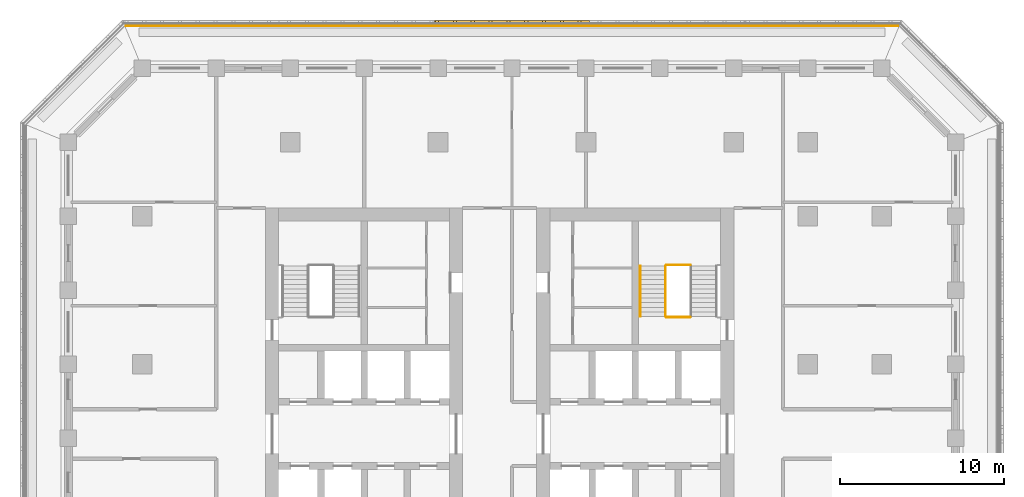
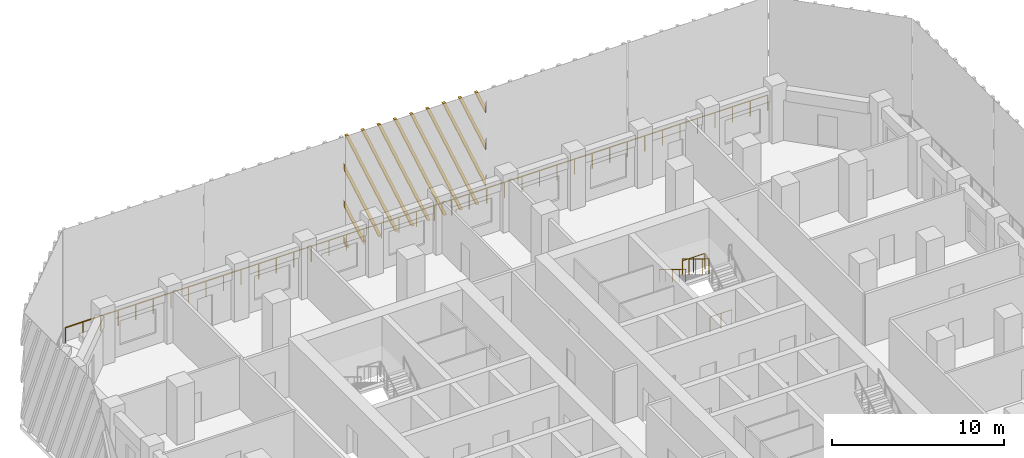
# One storey, part 15 of 17: 5 railings, 1 shading device.
"""IFC4 building model written with IfcOpenShell, lengths in metres."""

from ifc_helpers import new_model, si_unit, direction, frame, origin, origin_2d, place, context, subcontext, project, spatial, polyline, circle, outline, extrude, source, transform, mapped, material, type_object, element, save


model = new_model("IFC4")

# Units and contexts
model_context = context("Model", 3, precision=1e-05, world=origin(), true_north=direction((0.0, 1.0)))
body_context = subcontext(model_context, "Body", "Model", "MODEL_VIEW")
ifc_project = project(units=[si_unit("LENGTHUNIT", "METRE"), si_unit("AREAUNIT", "SQUARE_METRE"), si_unit("VOLUMEUNIT", "CUBIC_METRE"), si_unit("PLANEANGLEUNIT", "RADIAN"), si_unit("MASSUNIT", "GRAM", prefix="KILO")], contexts=[model_context])

# Site, building, storey
site_placement = place(None, origin())
site = spatial("IfcSite", under=ifc_project, at=site_placement, CompositionType="ELEMENT")
building_placement = place(site_placement, origin())
building = spatial("IfcBuilding", under=site, at=building_placement, Name="Corbel Stack Research Tower", CompositionType="ELEMENT")
storey_placement = place(building_placement, frame((0.0, 0.0, 207.89990234375)))
storey = spatial("IfcBuildingStorey", under=building, at=storey_placement, Name="L47", CompositionType="ELEMENT", Elevation=207.89990234375)

# Railings
ifc_material_1 = material(Name="Steel S355", Category="steel")
railing_type_1 = type_object("IfcRailingType", Name="Stair guard 1100", PredefinedType="GUARDRAIL", material=ifc_material_1)
railing_1_placement = place(storey_placement, frame((15.35009765625, 15.030029296875, 2.050048828125)))
element("IfcRailing", 1, at=railing_1_placement, inside=storey, type_object=railing_type_1, Name="L47 ST-E2 stair guard 2", PredefinedType="GUARDRAIL", context=body_context, shape_type="SweptSolid", body=[
    extrude(circle(Radius=0.02392578125, at=origin_2d()), frame((0.0, 0.0, 1.076171875), z_axis=(-1.0, 0.0, 0.0), x_axis=(0.0, -1.0, 0.0)), (0.0, 0.0, 1.0), 1.4501953125),
    extrude(circle(Radius=0.02099609375, at=origin_2d()), origin(), (0.0, 0.0, 1.0), 1.052001953125),
    extrude(circle(Radius=0.02099609375, at=origin_2d()), frame((-0.72509765625, 0.0, 0.0)), (0.0, 0.0, 1.0), 1.052001953125),
    extrude(circle(Radius=0.02099609375, at=origin_2d()), frame((-1.4501953125, 0.0, 0.0)), (0.0, 0.0, 1.0), 1.052001953125),
])
railing_2_placement = place(storey_placement, frame((13.85009765625, 14.97998046875, 2.220947265625)))
element("IfcRailing", 2, at=railing_2_placement, inside=storey, type_object=railing_type_1, Name="L47 ST-E2 stair guard 4", PredefinedType="GUARDRAIL", context=body_context, shape_type="SweptSolid", body=[
    extrude(circle(Radius=0.02392578125, at=origin_2d()), frame((0.0, 0.0, 1.076171875), z_axis=(0.0, -0.853666305674, 0.52082035152), x_axis=(1.0, 0.0, 0.0)), (0.0, 0.0, 1.0), 3.608154296875),
    extrude(circle(Radius=0.02099609375, at=origin_2d()), origin(), (0.0, 0.0, 1.0), 1.052001953125),
    extrude(circle(Radius=0.02099609375, at=origin_2d()), frame((0.0, -0.77001953125, 0.4697265625)), (0.0, 0.0, 1.0), 1.052001953125),
    extrude(circle(Radius=0.02099609375, at=origin_2d()), frame((0.0, -1.5400390625, 0.939453125)), (0.0, 0.0, 1.0), 1.052001953125),
    extrude(circle(Radius=0.02099609375, at=origin_2d()), frame((0.0, -2.31005859375, 1.409423828125)), (0.0, 0.0, 1.0), 1.052001953125),
    extrude(circle(Radius=0.02099609375, at=origin_2d()), frame((0.0, -3.080078125, 1.879150390625)), (0.0, 0.0, 1.0), 1.052001953125),
])
railing_3_placement = place(storey_placement, frame((15.35009765625, 11.85009765625, 0.0)))
element("IfcRailing", 3, at=railing_3_placement, inside=storey, type_object=railing_type_1, Name="L47 ST-E2 stair guard 5", PredefinedType="GUARDRAIL", context=body_context, shape_type="SweptSolid", body=[
    extrude(circle(Radius=0.02392578125, at=origin_2d()), frame((0.0, 0.0, 1.076171875), z_axis=(-1.0, 0.0, 0.0), x_axis=(0.0, -1.0, 0.0)), (0.0, 0.0, 1.0), 1.4501953125),
    extrude(circle(Radius=0.02099609375, at=origin_2d()), origin(), (0.0, 0.0, 1.0), 1.052001953125),
    extrude(circle(Radius=0.02099609375, at=origin_2d()), frame((-0.72509765625, 0.0, 0.0)), (0.0, 0.0, 1.0), 1.052001953125),
    extrude(circle(Radius=0.02099609375, at=origin_2d()), frame((-1.4501953125, 0.0, 0.0)), (0.0, 0.0, 1.0), 1.052001953125),
])
ifc_material_2 = material(Name="Steel S355", Category="steel")
railing_type_2 = type_object("IfcRailingType", Name="Stair handrail 900", PredefinedType="HANDRAIL", material=ifc_material_2)
railing_4_placement = place(storey_placement, frame((12.300048828125, 14.97998046875, 2.220947265625)))
element("IfcRailing", 4, at=railing_4_placement, inside=storey, type_object=railing_type_2, Name="L47 ST-E2 stair handrail 2", PredefinedType="HANDRAIL", context=body_context, shape_type="SweptSolid", body=[
    extrude(circle(Radius=0.02392578125, at=origin_2d()), frame((0.0, 0.0, 0.8759765625), z_axis=(0.0, -0.853666305674, 0.52082035152), x_axis=(1.0, 0.0, 0.0)), (0.0, 0.0, 1.0), 3.608154296875),
    extrude(circle(Radius=0.02099609375, at=origin_2d()), origin(), (0.0, 0.0, 1.0), 0.851806640625),
    extrude(circle(Radius=0.02099609375, at=origin_2d()), frame((0.0, -0.77001953125, 0.4697265625)), (0.0, 0.0, 1.0), 0.851806640625),
    extrude(circle(Radius=0.02099609375, at=origin_2d()), frame((0.0, -1.5400390625, 0.939453125)), (0.0, 0.0, 1.0), 0.851806640625),
    extrude(circle(Radius=0.02099609375, at=origin_2d()), frame((0.0, -2.31005859375, 1.409423828125)), (0.0, 0.0, 1.0), 0.851806640625),
    extrude(circle(Radius=0.02099609375, at=origin_2d()), frame((0.0, -3.080078125, 1.879150390625)), (0.0, 0.0, 1.0), 0.851806640625),
])
ifc_material_3 = material(Name="Powder-coated steel guard", Category="steel")
railing_type_3 = type_object("IfcRailingType", Name="Steel and glass guard 1100", PredefinedType="GUARDRAIL", material=ifc_material_3)
railing_5_placement = place(storey_placement, frame((28.00537109375, 29.60009765625, 0.0)))
element("IfcRailing", 5, at=railing_5_placement, inside=storey, type_object=railing_type_3, Name="Loggia guard L47 N", PredefinedType="GUARDRAIL", context=body_context, shape_type="SweptSolid", body=[
    extrude(circle(Radius=0.02392578125, at=origin_2d()), frame((0.0, 0.0, 1.076171875), z_axis=(-1.0, 0.0, 0.0), x_axis=(0.0, -1.0, 0.0)), (0.0, 0.0, 1.0), 47.0107421875),
    extrude(circle(Radius=0.02099609375, at=origin_2d()), origin(), (0.0, 0.0, 1.0), 1.052001953125),
    extrude(circle(Radius=0.02099609375, at=origin_2d()), frame((-1.17529296875, 0.0, 0.0)), (0.0, 0.0, 1.0), 1.052001953125),
    extrude(circle(Radius=0.02099609375, at=origin_2d()), frame((-2.3505859375, 0.0, 0.0)), (0.0, 0.0, 1.0), 1.052001953125),
    extrude(circle(Radius=0.02099609375, at=origin_2d()), frame((-3.52587890625, 0.0, 0.0)), (0.0, 0.0, 1.0), 1.052001953125),
    extrude(circle(Radius=0.02099609375, at=origin_2d()), frame((-4.701171875, 0.0, 0.0)), (0.0, 0.0, 1.0), 1.052001953125),
    extrude(circle(Radius=0.02099609375, at=origin_2d()), frame((-5.87646484375, 0.0, 0.0)), (0.0, 0.0, 1.0), 1.052001953125),
    extrude(circle(Radius=0.02099609375, at=origin_2d()), frame((-7.051513671875, 0.0, 0.0)), (0.0, 0.0, 1.0), 1.052001953125),
    extrude(circle(Radius=0.02099609375, at=origin_2d()), frame((-8.226806640625, 0.0, 0.0)), (0.0, 0.0, 1.0), 1.052001953125),
    extrude(circle(Radius=0.02099609375, at=origin_2d()), frame((-9.402099609375, 0.0, 0.0)), (0.0, 0.0, 1.0), 1.052001953125),
    extrude(circle(Radius=0.02099609375, at=origin_2d()), frame((-10.577392578125, 0.0, 0.0)), (0.0, 0.0, 1.0), 1.052001953125),
    extrude(circle(Radius=0.02099609375, at=origin_2d()), frame((-11.752685546875, 0.0, 0.0)), (0.0, 0.0, 1.0), 1.052001953125),
    extrude(circle(Radius=0.02099609375, at=origin_2d()), frame((-12.927978515625, 0.0, 0.0)), (0.0, 0.0, 1.0), 1.052001953125),
    extrude(circle(Radius=0.02099609375, at=origin_2d()), frame((-14.103271484375, 0.0, 0.0)), (0.0, 0.0, 1.0), 1.052001953125),
    extrude(circle(Radius=0.02099609375, at=origin_2d()), frame((-15.278564453125, 0.0, 0.0)), (0.0, 0.0, 1.0), 1.052001953125),
    extrude(circle(Radius=0.02099609375, at=origin_2d()), frame((-16.453857421875, 0.0, 0.0)), (0.0, 0.0, 1.0), 1.052001953125),
    extrude(circle(Radius=0.02099609375, at=origin_2d()), frame((-17.62890625, 0.0, 0.0)), (0.0, 0.0, 1.0), 1.052001953125),
    extrude(circle(Radius=0.02099609375, at=origin_2d()), frame((-18.80419921875, 0.0, 0.0)), (0.0, 0.0, 1.0), 1.052001953125),
    extrude(circle(Radius=0.02099609375, at=origin_2d()), frame((-19.9794921875, 0.0, 0.0)), (0.0, 0.0, 1.0), 1.052001953125),
    extrude(circle(Radius=0.02099609375, at=origin_2d()), frame((-21.15478515625, 0.0, 0.0)), (0.0, 0.0, 1.0), 1.052001953125),
    extrude(circle(Radius=0.02099609375, at=origin_2d()), frame((-22.330078125, 0.0, 0.0)), (0.0, 0.0, 1.0), 1.052001953125),
    extrude(circle(Radius=0.02099609375, at=origin_2d()), frame((-23.50537109375, 0.0, 0.0)), (0.0, 0.0, 1.0), 1.052001953125),
    extrude(circle(Radius=0.02099609375, at=origin_2d()), frame((-24.6806640625, 0.0, 0.0)), (0.0, 0.0, 1.0), 1.052001953125),
    extrude(circle(Radius=0.02099609375, at=origin_2d()), frame((-25.85595703125, 0.0, 0.0)), (0.0, 0.0, 1.0), 1.052001953125),
    extrude(circle(Radius=0.02099609375, at=origin_2d()), frame((-27.03125, 0.0, 0.0)), (0.0, 0.0, 1.0), 1.052001953125),
    extrude(circle(Radius=0.02099609375, at=origin_2d()), frame((-28.20654296875, 0.0, 0.0)), (0.0, 0.0, 1.0), 1.052001953125),
    extrude(circle(Radius=0.02099609375, at=origin_2d()), frame((-29.3818359375, 0.0, 0.0)), (0.0, 0.0, 1.0), 1.052001953125),
    extrude(circle(Radius=0.02099609375, at=origin_2d()), frame((-30.556884765625, 0.0, 0.0)), (0.0, 0.0, 1.0), 1.052001953125),
    extrude(circle(Radius=0.02099609375, at=origin_2d()), frame((-31.732177734375, 0.0, 0.0)), (0.0, 0.0, 1.0), 1.052001953125),
    extrude(circle(Radius=0.02099609375, at=origin_2d()), frame((-32.907470703125, 0.0, 0.0)), (0.0, 0.0, 1.0), 1.052001953125),
    extrude(circle(Radius=0.02099609375, at=origin_2d()), frame((-34.082763671875, 0.0, 0.0)), (0.0, 0.0, 1.0), 1.052001953125),
    extrude(circle(Radius=0.02099609375, at=origin_2d()), frame((-35.258056640625, 0.0, 0.0)), (0.0, 0.0, 1.0), 1.052001953125),
    extrude(circle(Radius=0.02099609375, at=origin_2d()), frame((-36.433349609375, 0.0, 0.0)), (0.0, 0.0, 1.0), 1.052001953125),
    extrude(circle(Radius=0.02099609375, at=origin_2d()), frame((-37.608642578125, 0.0, 0.0)), (0.0, 0.0, 1.0), 1.052001953125),
    extrude(circle(Radius=0.02099609375, at=origin_2d()), frame((-38.783935546875, 0.0, 0.0)), (0.0, 0.0, 1.0), 1.052001953125),
    extrude(circle(Radius=0.02099609375, at=origin_2d()), frame((-39.959228515625, 0.0, 0.0)), (0.0, 0.0, 1.0), 1.052001953125),
    extrude(circle(Radius=0.02099609375, at=origin_2d()), frame((-41.13427734375, 0.0, 0.0)), (0.0, 0.0, 1.0), 1.052001953125),
    extrude(circle(Radius=0.02099609375, at=origin_2d()), frame((-42.3095703125, 0.0, 0.0)), (0.0, 0.0, 1.0), 1.052001953125),
    extrude(circle(Radius=0.02099609375, at=origin_2d()), frame((-43.48486328125, 0.0, 0.0)), (0.0, 0.0, 1.0), 1.052001953125),
    extrude(circle(Radius=0.02099609375, at=origin_2d()), frame((-44.66015625, 0.0, 0.0)), (0.0, 0.0, 1.0), 1.052001953125),
    extrude(circle(Radius=0.02099609375, at=origin_2d()), frame((-45.83544921875, 0.0, 0.0)), (0.0, 0.0, 1.0), 1.052001953125),
    extrude(circle(Radius=0.02099609375, at=origin_2d()), frame((-47.0107421875, 0.0, 0.0)), (0.0, 0.0, 1.0), 1.052001953125),
])

# Shading device
ifc_material_4 = material(Name="Precast terracotta", Category="masonry")
shading_device_type = type_object("IfcShadingDeviceType", Name="Terracotta screen panel", PredefinedType="USERDEFINED", material=ifc_material_4)
shared_shape = source(origin(), body_context, "Body", "SweptSolid", [
    extrude(outline(polyline([(0.70361328125, 7.949951171875), (0.513427734375, 7.949951171875), (0.0, 6.720458984375), (0.0, 6.265380859375), (0.70361328125, 7.949951171875)])), frame((0.0, 0.0, 0.0), z_axis=(0.0, -1.0, 0.0), x_axis=(1.0, 0.0, 0.0)), (0.0, 0.0, 1.0), 0.179931640625),
    extrude(outline(polyline([(1.7880859375, 7.949951171875), (1.59814453125, 7.949951171875), (0.0, 4.123291015625), (0.0, 3.668212890625), (1.7880859375, 7.949951171875)])), frame((0.0, 0.0, 0.0), z_axis=(0.0, -1.0, 0.0), x_axis=(1.0, 0.0, 0.0)), (0.0, 0.0, 1.0), 0.179931640625),
    extrude(outline(polyline([(2.872802734375, 7.949951171875), (2.682861328125, 7.949951171875), (0.0, 1.526123046875), (0.0, 1.071044921875), (2.872802734375, 7.949951171875)])), frame((0.0, 0.0, 0.0), z_axis=(0.0, -1.0, 0.0), x_axis=(1.0, 0.0, 0.0)), (0.0, 0.0, 1.0), 0.179931640625),
    extrude(outline(polyline([(0.63720703125, 0.0), (3.95751953125, 7.949951171875), (3.767578125, 7.949951171875), (0.447265625, 0.0), (0.63720703125, 0.0)])), frame((0.0, 0.0, 0.0), z_axis=(0.0, -1.0, 0.0), x_axis=(1.0, 0.0, 0.0)), (0.0, 0.0, 1.0), 0.179931640625),
    extrude(outline(polyline([(1.721923828125, 0.0), (5.042236328125, 7.949951171875), (4.852294921875, 7.949951171875), (1.531982421875, 0.0), (1.721923828125, 0.0)])), frame((0.0, 0.0, 0.0), z_axis=(0.0, -1.0, 0.0), x_axis=(1.0, 0.0, 0.0)), (0.0, 0.0, 1.0), 0.179931640625),
    extrude(outline(polyline([(2.806640625, 0.0), (6.126708984375, 7.949951171875), (5.936767578125, 7.949951171875), (2.61669921875, 0.0), (2.806640625, 0.0)])), frame((0.0, 0.0, 0.0), z_axis=(0.0, -1.0, 0.0), x_axis=(1.0, 0.0, 0.0)), (0.0, 0.0, 1.0), 0.179931640625),
    extrude(outline(polyline([(3.891357421875, 0.0), (7.21142578125, 7.949951171875), (7.021484375, 7.949951171875), (3.701416015625, 0.0), (3.891357421875, 0.0)])), frame((0.0, 0.0, 0.0), z_axis=(0.0, -1.0, 0.0), x_axis=(1.0, 0.0, 0.0)), (0.0, 0.0, 1.0), 0.179931640625),
    extrude(outline(polyline([(4.97607421875, 0.0), (8.296142578125, 7.949951171875), (8.106201171875, 7.949951171875), (4.785888671875, 0.0), (4.97607421875, 0.0)])), frame((0.0, 0.0, 0.0), z_axis=(0.0, -1.0, 0.0), x_axis=(1.0, 0.0, 0.0)), (0.0, 0.0, 1.0), 0.179931640625),
    extrude(outline(polyline([(6.060791015625, 0.0), (9.380859375, 7.949951171875), (9.19091796875, 7.949951171875), (5.87060546875, 0.0), (6.060791015625, 0.0)])), frame((0.0, 0.0, 0.0), z_axis=(0.0, -1.0, 0.0), x_axis=(1.0, 0.0, 0.0)), (0.0, 0.0, 1.0), 0.179931640625),
    extrude(outline(polyline([(7.145263671875, 0.0), (9.45556640625, 5.531982421875), (9.45556640625, 5.98681640625), (6.955322265625, 0.0), (7.145263671875, 0.0)])), frame((0.0, 0.0, 0.0), z_axis=(0.0, -1.0, 0.0), x_axis=(1.0, 0.0, 0.0)), (0.0, 0.0, 1.0), 0.179931640625),
    extrude(outline(polyline([(8.22998046875, 0.0), (9.45556640625, 2.934814453125), (9.45556640625, 3.3896484375), (8.0400390625, 0.0), (8.22998046875, 0.0)])), frame((0.0, 0.0, 0.0), z_axis=(0.0, -1.0, 0.0), x_axis=(1.0, 0.0, 0.0)), (0.0, 0.0, 1.0), 0.179931640625),
    extrude(outline(polyline([(9.314697265625, 0.0), (9.45556640625, 0.337646484375), (9.45556640625, 0.79248046875), (9.124755859375, 0.0), (9.314697265625, 0.0)])), frame((0.0, 0.0, 0.0), z_axis=(0.0, -1.0, 0.0), x_axis=(1.0, 0.0, 0.0)), (0.0, 0.0, 1.0), 0.179931640625),
])
shading_device_placement = place(storey_placement, frame((9.227783203125, 29.75, 0.0), z_axis=(0.0, 0.0, 1.0), x_axis=(-1.0, 0.0, 0.0)))
element("IfcShadingDevice", 6, at=shading_device_placement, inside=storey, type_object=shading_device_type, Name="Terracotta screen L47 N3", ObjectType="SCREEN", PredefinedType="USERDEFINED", context=body_context, shape_type="MappedRepresentation", body=[
    mapped(shared_shape, transform((0.0, 0.0, 0.0))),
])

save(model, "model.ifc")
